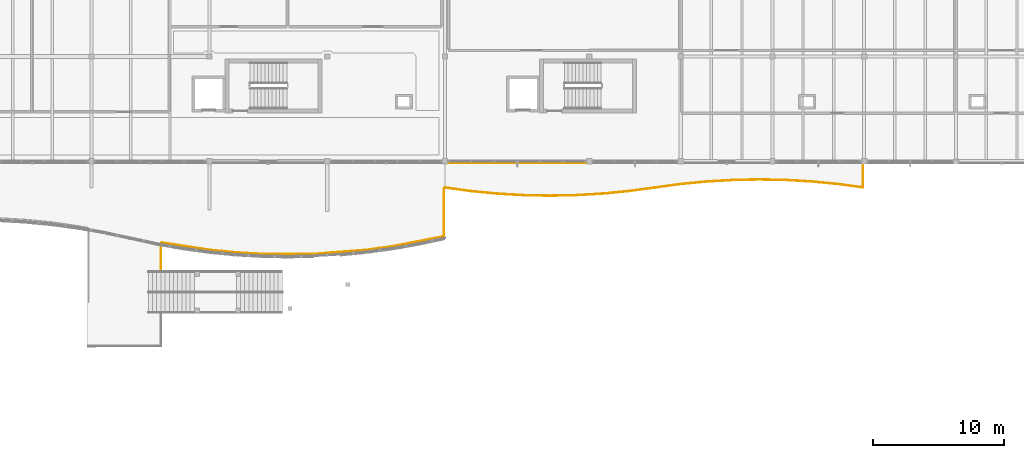
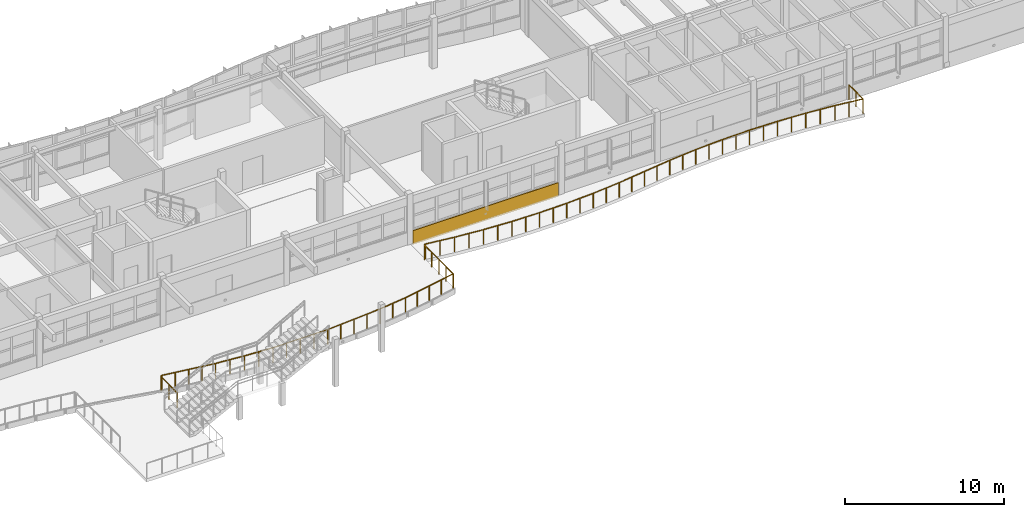
# One storey, part 48 of 52: 1 covering, 1 railing.
"""IFC4 building model written with IfcOpenShell, lengths in metres."""

from ifc_helpers import new_model, si_unit, direction, frame, origin, origin_2d, place, context, subcontext, project, spatial, polyline, circle, outline, extrude, material, layer, layer_set, type_object, element, save


model = new_model("IFC4")

# Units and contexts
model_context = context("Model", 3, precision=1e-05, world=origin(), true_north=direction((0.0, 1.0)))
body_context = subcontext(model_context, "Body", "Model", "MODEL_VIEW")
ifc_project = project(units=[si_unit("LENGTHUNIT", "METRE"), si_unit("AREAUNIT", "SQUARE_METRE"), si_unit("VOLUMEUNIT", "CUBIC_METRE"), si_unit("PLANEANGLEUNIT", "RADIAN"), si_unit("MASSUNIT", "GRAM", prefix="KILO")], contexts=[model_context])

# Site, building, storey
site_placement = place(None, origin())
site = spatial("IfcSite", under=ifc_project, at=site_placement, CompositionType="ELEMENT")
building_placement = place(site_placement, origin())
building = spatial("IfcBuilding", under=site, at=building_placement, Name="Tonlespit Floodbar School", CompositionType="ELEMENT")
storey_placement = place(building_placement, frame((0.0, 0.0, 12.300048828125)))
storey = spatial("IfcBuildingStorey", under=building, at=storey_placement, Name="L03", CompositionType="ELEMENT", Elevation=12.300048828125)

# Railing
ifc_material_1 = material(Name="Galvanised Steel", Category="steel")
railing_type = type_object("IfcRailingType", Name="Balustrade_Ext_1150", PredefinedType="BALUSTRADE", material=ifc_material_1)
railing_placement = place(storey_placement, frame((147.919921875, 103.76953125, 0.0)))
element("IfcRailing", 1, at=railing_placement, inside=storey, type_object=railing_type, Name="L03 terrace balustrade 023", PredefinedType="BALUSTRADE", context=body_context, shape_type="SweptSolid", body=[
    extrude(circle(Radius=0.02392578125, at=origin_2d()), frame((0.0, 0.0, 1.1259765625), z_axis=(0.0, -1.0, 0.0), x_axis=(1.0, 0.0, 0.0)), (0.0, 0.0, 1.0), 1.77734375),
    extrude(circle(Radius=0.02392578125, at=origin_2d()), frame((0.0, -1.77734375, 1.1259765625), z_axis=(-0.990935519872, 0.134338361819, 0.0), x_axis=(-0.134338361819, -0.990935519872, 0.0)), (0.0, 0.0, 1.0), 1.926513671875),
    extrude(circle(Radius=0.02392578125, at=origin_2d()), frame((-1.908935546875, -1.5185546875, 1.1259765625), z_axis=(-0.995360889046, 0.096211748539, 0.0), x_axis=(-0.096211748539, -0.995360889046, 0.0)), (0.0, 0.0, 1.0), 2.01220703125),
    extrude(circle(Radius=0.02392578125, at=origin_2d()), frame((-3.911865234375, -1.324951171875, 1.1259765625), z_axis=(-0.998335498706, 0.057673494989, 0.0), x_axis=(-0.057673494989, -0.998335498706, 0.0)), (0.0, 0.0, 1.0), 2.006591796875),
    extrude(circle(Radius=0.02392578125, at=origin_2d()), frame((-5.9150390625, -1.209228515625, 1.1259765625), z_axis=(-0.999812245383, 0.019377151026, 0.0), x_axis=(-0.019377151026, -0.999812245383, 0.0)), (0.0, 0.0, 1.0), 2.00341796875),
    extrude(circle(Radius=0.02392578125, at=origin_2d()), frame((-7.91796875, -1.17041015625, 1.1259765625), z_axis=(-0.999814644172, -0.01925298157, 0.0), x_axis=(0.01925298157, -0.999814644172, 0.0)), (0.0, 0.0, 1.0), 2.003662109375),
    extrude(circle(Radius=0.02392578125, at=origin_2d()), frame((-9.921142578125, -1.208984375, 1.1259765625), z_axis=(-0.998335093916, -0.057680501526, 0.0), x_axis=(0.057680501526, -0.998335093916, 0.0)), (0.0, 0.0, 1.0), 2.00634765625),
    extrude(circle(Radius=0.02392578125, at=origin_2d()), frame((-11.924072265625, -1.32470703125, 1.1259765625), z_axis=(-0.995373620873, -0.096079940004, 0.0), x_axis=(0.096079940004, -0.995373620873, 0.0)), (0.0, 0.0, 1.0), 2.012451171875),
    extrude(circle(Radius=0.02392578125, at=origin_2d()), frame((-13.92724609375, -1.51806640625, 1.1259765625), z_axis=(-0.990895899488, -0.134630295172, 0.0), x_axis=(0.134630295172, -0.990895899488, 0.0)), (0.0, 0.0, 1.0), 4.03857421875),
    extrude(circle(Radius=0.02392578125, at=origin_2d()), frame((-17.928955078125, -2.061767578125, 1.1259765625), z_axis=(-0.995368811557, -0.096129750749, 0.0), x_axis=(0.096129750749, -0.995368811557, 0.0)), (0.0, 0.0, 1.0), 2.00634765625),
    extrude(circle(Radius=0.02392578125, at=origin_2d()), frame((-19.926025390625, -2.254638671875, 1.1259765625), z_axis=(-0.998331968739, -0.057734566721, 0.0), x_axis=(0.057734566721, -0.998331968739, 0.0)), (0.0, 0.0, 1.0), 2.000244140625),
    extrude(circle(Radius=0.02392578125, at=origin_2d()), frame((-21.9228515625, -2.3701171875, 1.1259765625), z_axis=(-0.999813464184, -0.019314161553, 0.0), x_axis=(0.019314161553, -0.999813464184, 0.0)), (0.0, 0.0, 1.0), 1.997314453125),
    extrude(circle(Radius=0.02392578125, at=origin_2d()), frame((-23.919677734375, -2.40869140625, 1.1259765625), z_axis=(-0.999813464184, 0.019314161553, 0.0), x_axis=(-0.019314161553, -0.999813464184, 0.0)), (0.0, 0.0, 1.0), 1.997314453125),
    extrude(circle(Radius=0.02392578125, at=origin_2d()), frame((-25.91650390625, -2.3701171875, 1.1259765625), z_axis=(-0.998332375526, 0.057727532228, 0.0), x_axis=(-0.057727532228, -0.998332375526, 0.0)), (0.0, 0.0, 1.0), 2.00048828125),
    extrude(circle(Radius=0.02392578125, at=origin_2d()), frame((-27.91357421875, -2.254638671875, 1.1259765625), z_axis=(-0.995367686887, 0.096141395359, 0.0), x_axis=(-0.096141395359, -0.995367686887, 0.0)), (0.0, 0.0, 1.0), 2.006103515625),
    extrude(circle(Radius=0.02392578125, at=origin_2d()), frame((-29.910400390625, -2.061767578125, 1.1259765625), z_axis=(-0.990891154077, 0.134665217381, 0.0), x_axis=(-0.134665217381, -0.990891154077, 0.0)), (0.0, 0.0, 1.0), 1.994140625),
    extrude(circle(Radius=0.02392578125, at=origin_2d()), frame((-31.886474609375, -1.793212890625, 1.1259765625), z_axis=(-0.958888470962, -0.283783192341, 0.0), x_axis=(0.283783192341, -0.958888470962, 0.0)), (0.0, 0.0, 1.0), 0.081787109375),
    extrude(circle(Radius=0.02392578125, at=origin_2d()), frame((-31.96484375, -1.81640625, 1.1259765625), z_axis=(-0.436198663947, -0.89985039066, 0.0), x_axis=(0.89985039066, -0.436198663947, 0.0)), (0.0, 0.0, 1.0), 0.080078125),
    extrude(circle(Radius=0.02392578125, at=origin_2d()), frame((-31.999755859375, -1.888427734375, 1.1259765625), z_axis=(-6.7540186e-05, -0.999999997719, 0.0), x_axis=(0.999999997719, -6.7540186e-05, 0.0)), (0.0, 0.0, 1.0), 3.61474609375),
    extrude(circle(Radius=0.02392578125, at=origin_2d()), frame((-32.0, -5.503173828125, 1.1259765625), z_axis=(-0.981272679074, -0.192623802535, 0.0), x_axis=(0.192623802535, -0.981272679074, 0.0)), (0.0, 0.0, 1.0), 4.007568359375),
    extrude(circle(Radius=0.02392578125, at=origin_2d()), frame((-35.9326171875, -6.275146484375, 1.1259765625), z_axis=(-0.990905258422, -0.134561394281, 0.0), x_axis=(0.134561394281, -0.990905258422, 0.0)), (0.0, 0.0, 1.0), 2.013916015625),
    extrude(circle(Radius=0.02392578125, at=origin_2d()), frame((-37.92822265625, -6.546142578125, 1.1259765625), z_axis=(-0.997028979457, -0.077027359577, 0.0), x_axis=(0.077027359577, -0.997028979457, 0.0)), (0.0, 0.0, 1.0), 4.00634765625),
    extrude(circle(Radius=0.02392578125, at=origin_2d()), frame((-41.922607421875, -6.854736328125, 1.1259765625), z_axis=(-1.0, 0.0, 0.0), x_axis=(0.0, -1.0, 0.0)), (0.0, 0.0, 1.0), 3.99462890625),
    extrude(circle(Radius=0.02392578125, at=origin_2d()), frame((-45.917236328125, -6.854736328125, 1.1259765625), z_axis=(-0.998331154718, 0.057748640844, 0.0), x_axis=(-0.057748640844, -0.998331154718, 0.0)), (0.0, 0.0, 1.0), 1.999755859375),
    extrude(circle(Radius=0.02392578125, at=origin_2d()), frame((-47.91357421875, -6.7392578125, 1.1259765625), z_axis=(-0.995364310422, 0.096176346041, 0.0), x_axis=(-0.096176346041, -0.995364310422, 0.0)), (0.0, 0.0, 1.0), 2.00537109375),
    extrude(circle(Radius=0.02392578125, at=origin_2d()), frame((-49.90966796875, -6.54638671875, 1.1259765625), z_axis=(-0.988395741157, 0.151900819167, 0.0), x_axis=(-0.151900819167, -0.988395741157, 0.0)), (0.0, 0.0, 1.0), 3.63720703125),
    extrude(circle(Radius=0.02392578125, at=origin_2d()), frame((-53.504638671875, -5.993896484375, 1.1259765625), z_axis=(-0.966638637362, -0.256143992235, 0.0), x_axis=(0.256143992235, -0.966638637362, 0.0)), (0.0, 0.0, 1.0), 0.080078125),
    extrude(circle(Radius=0.02392578125, at=origin_2d()), frame((-53.58203125, -6.014404296875, 1.1259765625), z_axis=(-0.460317164455, -0.887754531449, 0.0), x_axis=(0.887754531449, -0.460317164455, 0.0)), (0.0, 0.0, 1.0), 0.081787109375),
    extrude(circle(Radius=0.02392578125, at=origin_2d()), frame((-53.61962890625, -6.0869140625, 1.1259765625), z_axis=(-0.00011951715, -0.999999992858, 0.0), x_axis=(0.999999992858, -0.00011951715, 0.0)), (0.0, 0.0, 1.0), 2.042724609375),
    extrude(circle(Radius=0.02099609375, at=origin_2d()), origin(), (0.0, 0.0, 1.0), 1.101806640625),
    extrude(circle(Radius=0.02099609375, at=origin_2d()), frame((0.0, -0.888671875, 0.0)), (0.0, 0.0, 1.0), 1.101806640625),
    extrude(circle(Radius=0.02099609375, at=origin_2d()), frame((0.0, -1.77734375, 0.0)), (0.0, 0.0, 1.0), 1.101806640625),
    extrude(circle(Radius=0.02099609375, at=origin_2d()), frame((-0.95458984375, -1.64794921875, 0.0)), (0.0, 0.0, 1.0), 1.101806640625),
    extrude(circle(Radius=0.02099609375, at=origin_2d()), frame((-1.908935546875, -1.5185546875, 0.0)), (0.0, 0.0, 1.0), 1.101806640625),
    extrude(circle(Radius=0.02099609375, at=origin_2d()), frame((-2.910400390625, -1.421875, 0.0)), (0.0, 0.0, 1.0), 1.101806640625),
    extrude(circle(Radius=0.02099609375, at=origin_2d()), frame((-3.911865234375, -1.324951171875, 0.0)), (0.0, 0.0, 1.0), 1.101806640625),
    extrude(circle(Radius=0.02099609375, at=origin_2d()), frame((-4.91357421875, -1.26708984375, 0.0)), (0.0, 0.0, 1.0), 1.101806640625),
    extrude(circle(Radius=0.02099609375, at=origin_2d()), frame((-5.9150390625, -1.209228515625, 0.0)), (0.0, 0.0, 1.0), 1.101806640625),
    extrude(circle(Radius=0.02099609375, at=origin_2d()), frame((-6.91650390625, -1.18994140625, 0.0)), (0.0, 0.0, 1.0), 1.101806640625),
    extrude(circle(Radius=0.02099609375, at=origin_2d()), frame((-7.91796875, -1.17041015625, 0.0)), (0.0, 0.0, 1.0), 1.101806640625),
    extrude(circle(Radius=0.02099609375, at=origin_2d()), frame((-8.91943359375, -1.189697265625, 0.0)), (0.0, 0.0, 1.0), 1.101806640625),
    extrude(circle(Radius=0.02099609375, at=origin_2d()), frame((-9.921142578125, -1.208984375, 0.0)), (0.0, 0.0, 1.0), 1.101806640625),
    extrude(circle(Radius=0.02099609375, at=origin_2d()), frame((-10.922607421875, -1.266845703125, 0.0)), (0.0, 0.0, 1.0), 1.101806640625),
    extrude(circle(Radius=0.02099609375, at=origin_2d()), frame((-11.924072265625, -1.32470703125, 0.0)), (0.0, 0.0, 1.0), 1.101806640625),
    extrude(circle(Radius=0.02099609375, at=origin_2d()), frame((-12.92578125, -1.42138671875, 0.0)), (0.0, 0.0, 1.0), 1.101806640625),
    extrude(circle(Radius=0.02099609375, at=origin_2d()), frame((-13.92724609375, -1.51806640625, 0.0)), (0.0, 0.0, 1.0), 1.101806640625),
    extrude(circle(Radius=0.02099609375, at=origin_2d()), frame((-14.927734375, -1.654052734375, 0.0)), (0.0, 0.0, 1.0), 1.101806640625),
    extrude(circle(Radius=0.02099609375, at=origin_2d()), frame((-15.92822265625, -1.7900390625, 0.0)), (0.0, 0.0, 1.0), 1.101806640625),
    extrude(circle(Radius=0.02099609375, at=origin_2d()), frame((-16.928466796875, -1.92578125, 0.0)), (0.0, 0.0, 1.0), 1.101806640625),
    extrude(circle(Radius=0.02099609375, at=origin_2d()), frame((-17.928955078125, -2.061767578125, 0.0)), (0.0, 0.0, 1.0), 1.101806640625),
    extrude(circle(Radius=0.02099609375, at=origin_2d()), frame((-18.927490234375, -2.158203125, 0.0)), (0.0, 0.0, 1.0), 1.101806640625),
    extrude(circle(Radius=0.02099609375, at=origin_2d()), frame((-19.926025390625, -2.254638671875, 0.0)), (0.0, 0.0, 1.0), 1.101806640625),
    extrude(circle(Radius=0.02099609375, at=origin_2d()), frame((-20.92431640625, -2.3125, 0.0)), (0.0, 0.0, 1.0), 1.101806640625),
    extrude(circle(Radius=0.02099609375, at=origin_2d()), frame((-21.9228515625, -2.3701171875, 0.0)), (0.0, 0.0, 1.0), 1.101806640625),
    extrude(circle(Radius=0.02099609375, at=origin_2d()), frame((-22.92138671875, -2.389404296875, 0.0)), (0.0, 0.0, 1.0), 1.101806640625),
    extrude(circle(Radius=0.02099609375, at=origin_2d()), frame((-23.919677734375, -2.40869140625, 0.0)), (0.0, 0.0, 1.0), 1.101806640625),
    extrude(circle(Radius=0.02099609375, at=origin_2d()), frame((-24.91796875, -2.389404296875, 0.0)), (0.0, 0.0, 1.0), 1.101806640625),
    extrude(circle(Radius=0.02099609375, at=origin_2d()), frame((-25.91650390625, -2.3701171875, 0.0)), (0.0, 0.0, 1.0), 1.101806640625),
    extrude(circle(Radius=0.02099609375, at=origin_2d()), frame((-26.9150390625, -2.3125, 0.0)), (0.0, 0.0, 1.0), 1.101806640625),
    extrude(circle(Radius=0.02099609375, at=origin_2d()), frame((-27.91357421875, -2.254638671875, 0.0)), (0.0, 0.0, 1.0), 1.101806640625),
    extrude(circle(Radius=0.02099609375, at=origin_2d()), frame((-28.912109375, -2.158203125, 0.0)), (0.0, 0.0, 1.0), 1.101806640625),
    extrude(circle(Radius=0.02099609375, at=origin_2d()), frame((-29.910400390625, -2.061767578125, 0.0)), (0.0, 0.0, 1.0), 1.101806640625),
    extrude(circle(Radius=0.02099609375, at=origin_2d()), frame((-30.8984375, -1.927490234375, 0.0)), (0.0, 0.0, 1.0), 1.101806640625),
    extrude(circle(Radius=0.02099609375, at=origin_2d()), frame((-31.886474609375, -1.793212890625, 0.0)), (0.0, 0.0, 1.0), 1.101806640625),
    extrude(circle(Radius=0.02099609375, at=origin_2d()), frame((-31.96484375, -1.81640625, 0.0)), (0.0, 0.0, 1.0), 1.101806640625),
    extrude(circle(Radius=0.02099609375, at=origin_2d()), frame((-31.999755859375, -1.888427734375, 0.0)), (0.0, 0.0, 1.0), 1.101806640625),
    extrude(circle(Radius=0.02099609375, at=origin_2d()), frame((-31.999755859375, -2.7919921875, 0.0)), (0.0, 0.0, 1.0), 1.101806640625),
    extrude(circle(Radius=0.02099609375, at=origin_2d()), frame((-32.0, -3.69580078125, 0.0)), (0.0, 0.0, 1.0), 1.101806640625),
    extrude(circle(Radius=0.02099609375, at=origin_2d()), frame((-32.0, -4.599609375, 0.0)), (0.0, 0.0, 1.0), 1.101806640625),
    extrude(circle(Radius=0.02099609375, at=origin_2d()), frame((-32.0, -5.503173828125, 0.0)), (0.0, 0.0, 1.0), 1.101806640625),
    extrude(circle(Radius=0.02099609375, at=origin_2d()), frame((-32.983154296875, -5.6962890625, 0.0)), (0.0, 0.0, 1.0), 1.101806640625),
    extrude(circle(Radius=0.02099609375, at=origin_2d()), frame((-33.96630859375, -5.88916015625, 0.0)), (0.0, 0.0, 1.0), 1.101806640625),
    extrude(circle(Radius=0.02099609375, at=origin_2d()), frame((-34.949462890625, -6.08203125, 0.0)), (0.0, 0.0, 1.0), 1.101806640625),
    extrude(circle(Radius=0.02099609375, at=origin_2d()), frame((-35.9326171875, -6.275146484375, 0.0)), (0.0, 0.0, 1.0), 1.101806640625),
    extrude(circle(Radius=0.02099609375, at=origin_2d()), frame((-36.930419921875, -6.41064453125, 0.0)), (0.0, 0.0, 1.0), 1.101806640625),
    extrude(circle(Radius=0.02099609375, at=origin_2d()), frame((-37.92822265625, -6.546142578125, 0.0)), (0.0, 0.0, 1.0), 1.101806640625),
    extrude(circle(Radius=0.02099609375, at=origin_2d()), frame((-38.9267578125, -6.623291015625, 0.0)), (0.0, 0.0, 1.0), 1.101806640625),
    extrude(circle(Radius=0.02099609375, at=origin_2d()), frame((-39.92529296875, -6.700439453125, 0.0)), (0.0, 0.0, 1.0), 1.101806640625),
    extrude(circle(Radius=0.02099609375, at=origin_2d()), frame((-40.924072265625, -6.777587890625, 0.0)), (0.0, 0.0, 1.0), 1.101806640625),
    extrude(circle(Radius=0.02099609375, at=origin_2d()), frame((-41.922607421875, -6.854736328125, 0.0)), (0.0, 0.0, 1.0), 1.101806640625),
    extrude(circle(Radius=0.02099609375, at=origin_2d()), frame((-42.92138671875, -6.854736328125, 0.0)), (0.0, 0.0, 1.0), 1.101806640625),
    extrude(circle(Radius=0.02099609375, at=origin_2d()), frame((-43.919921875, -6.854736328125, 0.0)), (0.0, 0.0, 1.0), 1.101806640625),
    extrude(circle(Radius=0.02099609375, at=origin_2d()), frame((-44.91845703125, -6.854736328125, 0.0)), (0.0, 0.0, 1.0), 1.101806640625),
    extrude(circle(Radius=0.02099609375, at=origin_2d()), frame((-45.917236328125, -6.854736328125, 0.0)), (0.0, 0.0, 1.0), 1.101806640625),
    extrude(circle(Radius=0.02099609375, at=origin_2d()), frame((-46.91552734375, -6.796875, 0.0)), (0.0, 0.0, 1.0), 1.101806640625),
    extrude(circle(Radius=0.02099609375, at=origin_2d()), frame((-47.91357421875, -6.7392578125, 0.0)), (0.0, 0.0, 1.0), 1.101806640625),
    extrude(circle(Radius=0.02099609375, at=origin_2d()), frame((-48.91162109375, -6.642822265625, 0.0)), (0.0, 0.0, 1.0), 1.101806640625),
    extrude(circle(Radius=0.02099609375, at=origin_2d()), frame((-49.90966796875, -6.54638671875, 0.0)), (0.0, 0.0, 1.0), 1.101806640625),
    extrude(circle(Radius=0.02099609375, at=origin_2d()), frame((-50.808349609375, -6.408203125, 0.0)), (0.0, 0.0, 1.0), 1.101806640625),
    extrude(circle(Radius=0.02099609375, at=origin_2d()), frame((-51.70703125, -6.27001953125, 0.0)), (0.0, 0.0, 1.0), 1.101806640625),
    extrude(circle(Radius=0.02099609375, at=origin_2d()), frame((-52.60595703125, -6.132080078125, 0.0)), (0.0, 0.0, 1.0), 1.101806640625),
    extrude(circle(Radius=0.02099609375, at=origin_2d()), frame((-53.504638671875, -5.993896484375, 0.0)), (0.0, 0.0, 1.0), 1.101806640625),
    extrude(circle(Radius=0.02099609375, at=origin_2d()), frame((-53.58203125, -6.014404296875, 0.0)), (0.0, 0.0, 1.0), 1.101806640625),
    extrude(circle(Radius=0.02099609375, at=origin_2d()), frame((-53.61962890625, -6.0869140625, 0.0)), (0.0, 0.0, 1.0), 1.101806640625),
    extrude(circle(Radius=0.02099609375, at=origin_2d()), frame((-53.61962890625, -7.1083984375, 0.0)), (0.0, 0.0, 1.0), 1.101806640625),
    extrude(circle(Radius=0.02099609375, at=origin_2d()), frame((-53.619873046875, -8.129638671875, 0.0)), (0.0, 0.0, 1.0), 1.101806640625),
])

# Covering
ifc_material_2 = material(Name="White Architectural Aluminium", Category="aluminium")
ifc_layer = layer(ifc_material_2, 0.050048828125)
ifc_layer_set = layer_set([ifc_layer], Name="White Architectural Aluminium")
covering_type = type_object("IfcCoveringType", Name="Cladding_WhiteBand_50", PredefinedType="CLADDING", material=ifc_layer_set)
covering_placement = place(storey_placement, frame((0.0, 0.0, -0.1201171875)))
element("IfcCovering", 2, at=covering_placement, inside=storey, type_object=covering_type, Name="L03 curved white spandrel cladding 0725", PredefinedType="CLADDING", context=body_context, shape_type="SweptSolid", body=[
    extrude(outline(polyline([(126.800048828125, 103.89990234375), (116.199951171875, 103.89990234375), (116.199951171875, 103.85009765625), (126.800048828125, 103.85009765625), (126.800048828125, 103.89990234375)])), origin(), (0.0, 0.0, 1.0), 1.070068359375),
])

save(model, "model.ifc")
